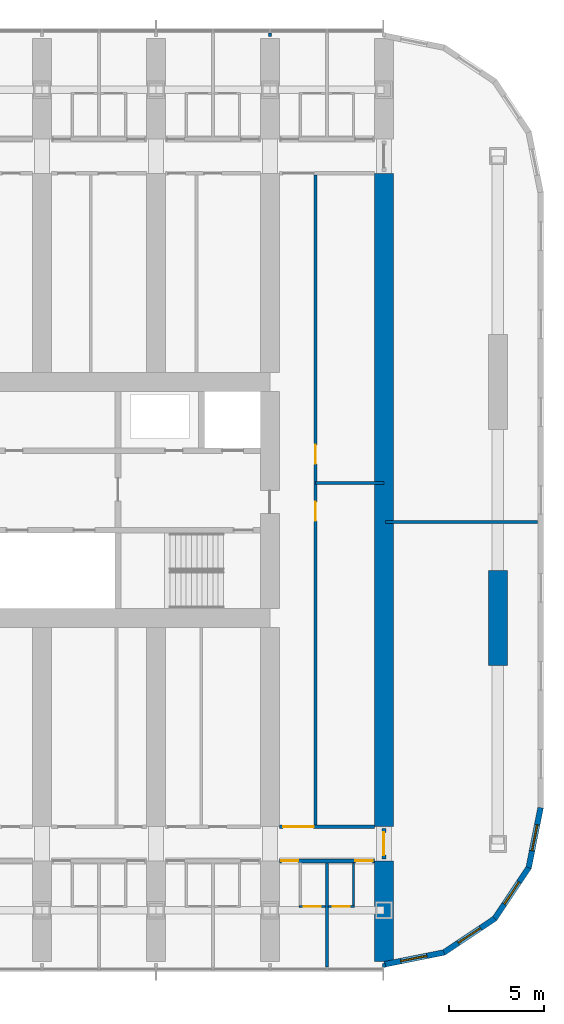
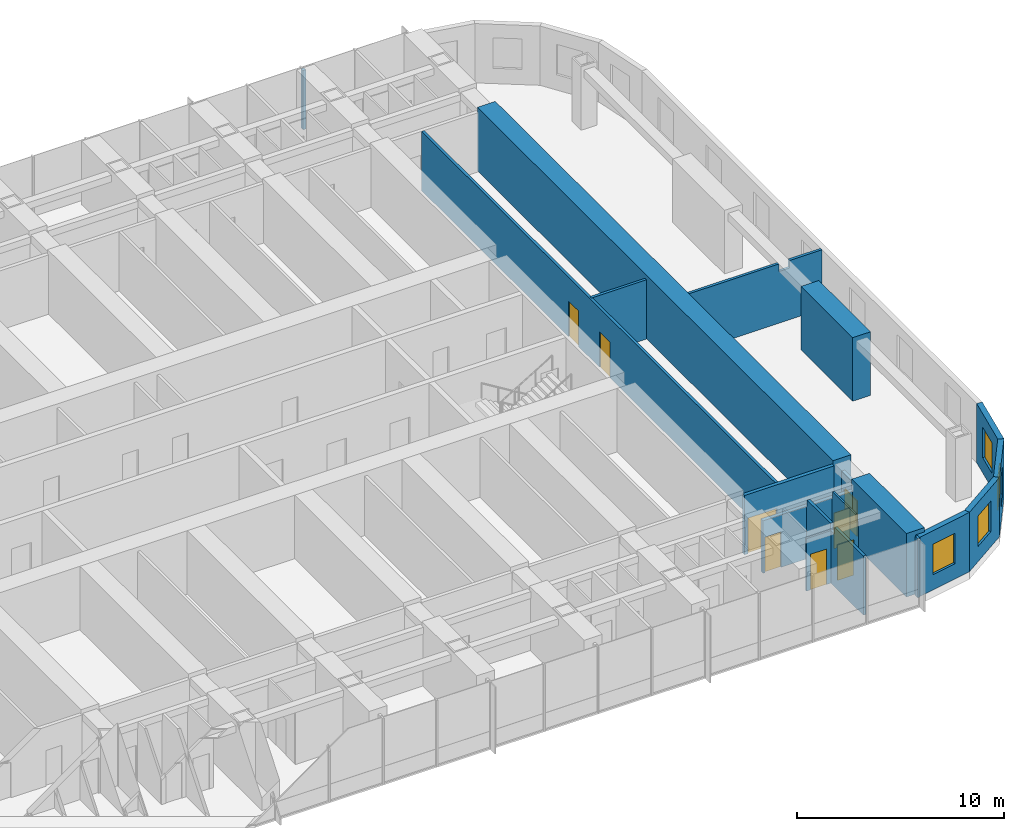
# One storey, part 20 of 28: 19 walls, 8 doors, 4 windows, 12 openings.
"""IFC4 building model written with IfcOpenShell, lengths in metres."""

from ifc_helpers import new_model, si_unit, direction, frame, frame_2d, origin, place, context, subcontext, project, spatial, polyline, rectangle, outline, extrude, material, layer, layer_set, type_object, element, fill, save


model = new_model("IFC4")

# Units and contexts
model_context = context("Model", 3, precision=1e-05, world=origin(), true_north=direction((0.0, 1.0)))
body_context = subcontext(model_context, "Body", "Model", "MODEL_VIEW")
ifc_project = project(units=[si_unit("LENGTHUNIT", "METRE"), si_unit("AREAUNIT", "SQUARE_METRE"), si_unit("VOLUMEUNIT", "CUBIC_METRE"), si_unit("PLANEANGLEUNIT", "RADIAN"), si_unit("MASSUNIT", "GRAM", prefix="KILO")], contexts=[model_context])

# Site, building, storey
site_placement = place(None, origin())
site = spatial("IfcSite", under=ifc_project, at=site_placement, CompositionType="ELEMENT")
building_placement = place(site_placement, origin())
building = spatial("IfcBuilding", under=site, at=building_placement, Name="Orbita Commons", CompositionType="ELEMENT")
storey_placement = place(building_placement, frame((0.0, 0.0, 38.949951171875)))
storey = spatial("IfcBuildingStorey", under=building, at=storey_placement, Name="L09", CompositionType="ELEMENT", Elevation=38.949951171875)

# Wall, openings, doors
ifc_material_1 = material(Name="Concrete blockwork", Category="masonry")
ifc_layer_1 = layer(ifc_material_1, 0.199951171875)
ifc_layer_set_1 = layer_set([ifc_layer_1], Name="Concrete blockwork")
wall_type_1 = type_object("IfcWallType", Name="Corridor wall 200 blockwork", PredefinedType="SOLIDWALL", material=ifc_layer_set_1)
wall_1_placement = place(storey_placement, frame((66.5, 13.0, 0.0), z_axis=(0.0, 0.0, 1.0), x_axis=(1.0, 0.0, 0.0)))
wall_1 = element("IfcWall", 1, at=wall_1_placement, inside=storey, type_object=wall_type_1, Name="Corridor wall 200 blockwork L09", PredefinedType="SOLIDWALL", context=body_context, shape_type="SweptSolid", body=[
    extrude(outline(polyline([(0.0, 0.0), (5.0, 0.0), (5.0, 3.10009765625), (0.0, 3.10009765625), (0.0, 0.0)])), frame((0.0, 0.10009765625, 0.0), z_axis=(0.0, -1.0, 0.0), x_axis=(1.0, 0.0, 0.0)), (0.0, 0.0, 1.0), 0.199951171875),
])
opening_1_placement = place(wall_1_placement, frame((0.10009765625, 0.0, 0.0)))
opening_1 = element("IfcOpeningElement", 2, at=opening_1_placement, cuts=wall_1, Name="Opening D11", PredefinedType="OPENING", context=body_context, shape_type="SweptSolid", body=[
    extrude(rectangle(XDim=0.89990234375, YDim=2.10009765625, at=frame_2d((0.449951171875, 1.050048828125))), frame((0.0, 0.10986328125, 0.0), z_axis=(0.0, -1.0, 0.0), x_axis=(1.0, 0.0, 0.0)), (0.0, 0.0, 1.0), 0.219970703125),
])
opening_2_placement = place(wall_1_placement, frame((4.0, 0.0, 0.0)))
opening_2 = element("IfcOpeningElement", 3, at=opening_2_placement, cuts=wall_1, Name="Opening D11", PredefinedType="OPENING", context=body_context, shape_type="SweptSolid", body=[
    extrude(rectangle(XDim=0.89990234375, YDim=2.10009765625, at=frame_2d((0.449951171875, 1.050048828125))), frame((0.0, 0.10986328125, 0.0), z_axis=(0.0, -1.0, 0.0), x_axis=(1.0, 0.0, 0.0)), (0.0, 0.0, 1.0), 0.219970703125),
])
ifc_material_2 = material(Name="Steel-faced fire door leaf", Category="steel")
door_type_1 = type_object("IfcDoorType", Name="Corridor door 20 min 900x2100", OperationType="SINGLE_SWING_LEFT", PredefinedType="DOOR", material=ifc_material_2)
door_1_placement = place(opening_1_placement, origin())
door_1 = element("IfcDoor", 4, at=door_1_placement, inside=storey, type_object=door_type_1, Name="House bedroom L09-S18 door", OperationType="SINGLE_SWING_LEFT", OverallHeight=2.10009765625, OverallWidth=0.89990234375, PredefinedType="DOOR", context=body_context, shape_type="SweptSolid", body=[
    extrude(rectangle(XDim=0.89990234375, YDim=2.10009765625, at=frame_2d((0.449951171875, 1.050048828125))), frame((0.0, 0.02490234375, 0.0), z_axis=(0.0, -1.0, 0.0), x_axis=(1.0, 0.0, 0.0)), (0.0, 0.0, 1.0), 0.050048828125),
])
fill(opening_1, door_1)
door_2_placement = place(opening_2_placement, origin())
door_2 = element("IfcDoor", 5, at=door_2_placement, inside=storey, type_object=door_type_1, Name="House bedroom L09-S19 door", OperationType="SINGLE_SWING_LEFT", OverallHeight=2.10009765625, OverallWidth=0.89990234375, PredefinedType="DOOR", context=body_context, shape_type="SweptSolid", body=[
    extrude(rectangle(XDim=0.89990234375, YDim=2.10009765625, at=frame_2d((0.449951171875, 1.050048828125))), frame((0.0, 0.02490234375, 0.0), z_axis=(0.0, -1.0, 0.0), x_axis=(1.0, 0.0, 0.0)), (0.0, 0.0, 1.0), 0.050048828125),
])
fill(opening_2, door_2)

# Wall, opening, door
wall_2_placement = place(storey_placement, frame((72.0, 13.10009765625, 0.0), z_axis=(0.0, 0.0, 1.0), x_axis=(0.0, 1.0, 0.0)))
wall_2 = element("IfcWall", 6, at=wall_2_placement, inside=storey, type_object=wall_type_1, Name="Corridor wall 200 blockwork L09", PredefinedType="SOLIDWALL", context=body_context, shape_type="SweptSolid", body=[
    extrude(outline(polyline([(0.0, 0.0), (1.599853515625, 0.0), (1.60009765625, 3.050048828125), (0.0, 3.050048828125), (0.0, 0.0)])), frame((0.0, 0.10009765625, 0.0), z_axis=(0.0, -1.0, 0.0), x_axis=(1.0, 0.0, 0.0)), (0.0, 0.0, 1.0), 0.199951171875),
])
opening_3_placement = place(wall_2_placement, frame((0.199951171875, 0.0, 0.0)))
opening_3 = element("IfcOpeningElement", 7, at=opening_3_placement, cuts=wall_2, Name="Opening D12", PredefinedType="OPENING", context=body_context, shape_type="SweptSolid", body=[
    extrude(rectangle(XDim=1.199951171875, YDim=2.10009765625, at=frame_2d((0.60009765625, 1.050048828125))), frame((0.0, 0.10986328125, 0.0), z_axis=(0.0, -1.0, 0.0), x_axis=(1.0, 0.0, 0.0)), (0.0, 0.0, 1.0), 0.219970703125),
])
ifc_material_3 = material(Name="Steel-faced fire door leaf", Category="steel")
door_type_2 = type_object("IfcDoorType", Name="Double corridor door 20 min 1200x2100", OperationType="DOUBLE_DOOR_SINGLE_SWING", PredefinedType="DOOR", material=ifc_material_3)
door_3_placement = place(opening_3_placement, origin())
door_3 = element("IfcDoor", 8, at=door_3_placement, inside=storey, type_object=door_type_2, Name="Lounge doors", OperationType="DOUBLE_DOOR_SINGLE_SWING", OverallHeight=2.10009765625, OverallWidth=1.199951171875, PredefinedType="DOOR", context=body_context, shape_type="SweptSolid", body=[
    extrude(rectangle(XDim=1.199951171875, YDim=2.10009765625, at=frame_2d((0.60009765625, 1.050048828125))), frame((0.0, 0.02490234375, 0.0), z_axis=(0.0, -1.0, 0.0), x_axis=(1.0, 0.0, 0.0)), (0.0, 0.0, 1.0), 0.050048828125),
])
fill(opening_3, door_3)

ifc_material_4 = material(Name="Hollow concrete block 200", Category="concrete")
ifc_layer_2 = layer(ifc_material_4, 0.199951171875)
ifc_layer_set_2 = layer_set([ifc_layer_2], Name="Hollow concrete block 200")
wall_type_2 = type_object("IfcWallType", Name="Corridor wall 200 hollow concrete block", PredefinedType="SOLIDWALL", material=ifc_layer_set_2)
wall_3_placement = place(storey_placement, frame((66.5, 14.800048828125, 0.0), z_axis=(0.0, 0.0, 1.0), x_axis=(1.0, 0.0, 0.0)))
wall_3 = element("IfcWall", 9, at=wall_3_placement, inside=storey, type_object=wall_type_2, Name="Corridor wall 200 hollow concrete block L09", PredefinedType="SOLIDWALL", context=body_context, shape_type="SweptSolid", body=[
    extrude(rectangle(XDim=5.0, YDim=0.199951171875, at=frame_2d((2.5, 0.0))), origin(), (0.0, 0.0, 1.0), 3.5),
])
opening_4_placement = place(wall_3_placement, frame((0.199951171875, 0.0, 0.0)))
opening_4 = element("IfcOpeningElement", 10, at=opening_4_placement, cuts=wall_3, Name="Opening D10", PredefinedType="OPENING", context=body_context, shape_type="SweptSolid", body=[
    extrude(rectangle(XDim=1.60009765625, YDim=2.10009765625, at=frame_2d((0.800048828125, 1.050048828125))), frame((0.0, 0.10986328125, 0.0), z_axis=(0.0, -1.0, 0.0), x_axis=(1.0, 0.0, 0.0)), (0.0, 0.0, 1.0), 0.219970703125),
])
ifc_material_5 = material(Name="Steel-faced fire door leaf", Category="steel")
door_type_3 = type_object("IfcDoorType", Name="Double corridor door 20 min 1600x2100", OperationType="DOUBLE_DOOR_SINGLE_SWING", PredefinedType="DOOR", material=ifc_material_5)
door_4_placement = place(opening_4_placement, origin())
door_4 = element("IfcDoor", 11, at=door_4_placement, inside=storey, type_object=door_type_3, Name="Cross corridor doors", OperationType="DOUBLE_DOOR_SINGLE_SWING", OverallHeight=2.10009765625, OverallWidth=1.60009765625, PredefinedType="DOOR", context=body_context, shape_type="SweptSolid", body=[
    extrude(rectangle(XDim=1.60009765625, YDim=2.10009765625, at=frame_2d((0.800048828125, 1.050048828125))), frame((0.0, 0.02490234375, 0.0), z_axis=(0.0, -1.0, 0.0), x_axis=(1.0, 0.0, 0.0)), (0.0, 0.0, 1.0), 0.050048828125),
])
fill(opening_4, door_4)

# Walls
ifc_material_6 = material(Name="Concrete C50/60", Category="concrete")
ifc_layer_3 = layer(ifc_material_6, 1.0)
ifc_layer_set_3 = layer_set([ifc_layer_3], Name="Concrete C50/60")
wall_type_3 = type_object("IfcWallType", Name="Cross wall 1000 C50/60", PredefinedType="SHEAR", material=ifc_layer_set_3)
wall_4_placement = place(storey_placement, frame((72.0, 7.699951171875, 0.0), z_axis=(0.0, 0.0, 1.0), x_axis=(0.0, 1.0, 0.0)))
element("IfcWall", 12, at=wall_4_placement, inside=storey, type_object=wall_type_3, Name="Cross wall 13 south outer L09", PredefinedType="SHEAR", context=body_context, shape_type="SweptSolid", body=[
    extrude(rectangle(XDim=5.300048828125, YDim=1.0, at=frame_2d((2.64990234375, 0.0))), origin(), (0.0, 0.0, 1.0), 3.75),
])
wall_5_placement = place(storey_placement, frame((72.0, 14.800048828125, 0.0), z_axis=(0.0, 0.0, 1.0), x_axis=(0.0, 1.0, 0.0)))
element("IfcWall", 13, at=wall_5_placement, inside=storey, type_object=wall_type_3, Name="Cross wall 13 inner L09", PredefinedType="SHEAR", context=body_context, shape_type="SweptSolid", body=[
    extrude(rectangle(XDim=34.39990234375, YDim=1.0, at=frame_2d((17.199951171875, 0.0))), origin(), (0.0, 0.0, 1.0), 3.75),
])

# Wall, opening, door
ifc_material_7 = material(Name="Moisture-resistant plasterboard on steel studs", Category="steel")
ifc_layer_4 = layer(ifc_material_7, 0.10009765625)
ifc_layer_set_4 = layer_set([ifc_layer_4], Name="Moisture-resistant plasterboard on steel studs")
wall_type_4 = type_object("IfcWallType", Name="En-suite partition 100", PredefinedType="PARTITIONING", material=ifc_layer_set_4)
wall_6_placement = place(storey_placement, frame((68.925048828125, 10.59814453125, 0.0), z_axis=(0.0, 0.0, 1.0), x_axis=(-1.0, 0.0, 0.0)))
wall_6 = element("IfcWall", 14, at=wall_6_placement, inside=storey, type_object=wall_type_4, Name="En-suite partition 100 L09", PredefinedType="PARTITIONING", context=body_context, shape_type="SweptSolid", body=[
    extrude(outline(polyline([(0.0, 0.0), (1.375, 0.0), (1.375, 3.10009765625), (0.0, 3.10009765625), (0.0, 0.0)])), frame((0.0, 0.050048828125, 0.0), z_axis=(0.0, -1.0, 0.0), x_axis=(1.0, 0.0, 0.0)), (0.0, 0.0, 1.0), 0.10009765625),
])
opening_5_placement = place(wall_6_placement, frame((0.237548828125, 0.0, 0.0)))
opening_5 = element("IfcOpeningElement", 15, at=opening_5_placement, cuts=wall_6, Name="Opening D09", PredefinedType="OPENING", context=body_context, shape_type="SweptSolid", body=[
    extrude(rectangle(XDim=0.89990234375, YDim=2.10009765625, at=frame_2d((0.449951171875, 1.050048828125))), frame((0.0, 0.06005859375, 0.0), z_axis=(0.0, -1.0, 0.0), x_axis=(1.0, 0.0, 0.0)), (0.0, 0.0, 1.0), 0.1201171875),
])
ifc_material_8 = material(Name="Laminated timber door leaf", Category="wood")
door_type_4 = type_object("IfcDoorType", Name="En-suite door 900x2100", OperationType="SINGLE_SWING_RIGHT", PredefinedType="DOOR", material=ifc_material_8)
door_5_placement = place(opening_5_placement, origin())
door_5 = element("IfcDoor", 16, at=door_5_placement, inside=storey, type_object=door_type_4, Name="En-suite L09-S18 door", OperationType="SINGLE_SWING_RIGHT", OverallHeight=2.10009765625, OverallWidth=0.89990234375, PredefinedType="DOOR", context=body_context, shape_type="SweptSolid", body=[
    extrude(rectangle(XDim=0.89990234375, YDim=2.10009765625, at=frame_2d((0.449951171875, 1.050048828125))), frame((0.0, 0.02490234375, 0.0), z_axis=(0.0, -1.0, 0.0), x_axis=(1.0, 0.0, 0.0)), (0.0, 0.0, 1.0), 0.050048828125),
])
fill(opening_5, door_5)

wall_7_placement = place(storey_placement, frame((70.449951171875, 10.59814453125, 0.0), z_axis=(0.0, 0.0, 1.0), x_axis=(-1.0, 0.0, 0.0)))
wall_7 = element("IfcWall", 17, at=wall_7_placement, inside=storey, type_object=wall_type_4, Name="En-suite partition 100 L09", PredefinedType="PARTITIONING", context=body_context, shape_type="SweptSolid", body=[
    extrude(outline(polyline([(0.0, 0.0), (1.375, 0.0), (1.375, 3.10009765625), (0.0, 3.10009765625), (0.0, 0.0)])), frame((0.0, 0.050048828125, 0.0), z_axis=(0.0, -1.0, 0.0), x_axis=(1.0, 0.0, 0.0)), (0.0, 0.0, 1.0), 0.10009765625),
])
opening_6_placement = place(wall_7_placement, frame((0.237548828125, 0.0, 0.0)))
opening_6 = element("IfcOpeningElement", 18, at=opening_6_placement, cuts=wall_7, Name="Opening D09", PredefinedType="OPENING", context=body_context, shape_type="SweptSolid", body=[
    extrude(rectangle(XDim=0.89990234375, YDim=2.10009765625, at=frame_2d((0.449951171875, 1.050048828125))), frame((0.0, 0.06005859375, 0.0), z_axis=(0.0, -1.0, 0.0), x_axis=(1.0, 0.0, 0.0)), (0.0, 0.0, 1.0), 0.1201171875),
])
door_6_placement = place(opening_6_placement, origin())
door_6 = element("IfcDoor", 19, at=door_6_placement, inside=storey, type_object=door_type_4, Name="En-suite L09-S19 door", OperationType="SINGLE_SWING_RIGHT", OverallHeight=2.10009765625, OverallWidth=0.89990234375, PredefinedType="DOOR", context=body_context, shape_type="SweptSolid", body=[
    extrude(rectangle(XDim=0.89990234375, YDim=2.10009765625, at=frame_2d((0.449951171875, 1.050048828125))), frame((0.0, 0.02490234375, 0.0), z_axis=(0.0, -1.0, 0.0), x_axis=(1.0, 0.0, 0.0)), (0.0, 0.0, 1.0), 0.050048828125),
])
fill(opening_6, door_6)

# Walls
wall_8_placement = place(storey_placement, frame((70.39990234375, 10.648193359375, 0.0), z_axis=(0.0, 0.0, 1.0), x_axis=(0.0, 1.0, 0.0)))
element("IfcWall", 20, at=wall_8_placement, inside=storey, type_object=wall_type_4, Name="En-suite partition 100 L09", PredefinedType="PARTITIONING", context=body_context, shape_type="SweptSolid", body=[
    extrude(outline(polyline([(0.0, 0.0), (2.251708984375, 0.0), (2.251953125, 3.10009765625), (2.203857421875, 3.10009765625), (2.201904296875, 3.5), (0.0, 3.5), (0.0, 0.0)])), frame((0.0, 0.050048828125, 0.0), z_axis=(0.0, -1.0, 0.0), x_axis=(1.0, 0.0, 0.0)), (0.0, 0.0, 1.0), 0.10009765625),
])
ifc_material_9 = material(Name="Concrete C50/60", Category="concrete")
ifc_layer_5 = layer(ifc_material_9, 1.0)
ifc_layer_set_5 = layer_set([ifc_layer_5], Name="Concrete C50/60")
wall_type_5 = type_object("IfcWallType", Name="End pier 1000x5000 C50/60", PredefinedType="SHEAR", material=ifc_layer_set_5)
wall_9_placement = place(storey_placement, frame((78.0, 23.300048828125, 0.0), z_axis=(0.0, 0.0, 1.0), x_axis=(0.0, 1.0, 0.0)))
element("IfcWall", 21, at=wall_9_placement, inside=storey, type_object=wall_type_5, Name="End pier 14/C L09", PredefinedType="SHEAR", context=body_context, shape_type="SweptSolid", body=[
    extrude(rectangle(XDim=5.0, YDim=1.0, at=frame_2d((2.5, 0.0))), origin(), (0.0, 0.0, 1.0), 3.75),
])

# Wall, openings, doors
ifc_material_10 = material(Name="Gypsum plasterboard on steel studs", Category="steel")
ifc_layer_6 = layer(ifc_material_10, 0.14990234375)
ifc_layer_set_6 = layer_set([ifc_layer_6], Name="Gypsum plasterboard on steel studs")
wall_type_6 = type_object("IfcWallType", Name="Partition 150 plasterboard", PredefinedType="PARTITIONING", material=ifc_layer_set_6)
wall_10_placement = place(storey_placement, frame((68.39990234375, 14.89990234375, 0.0), z_axis=(0.0, 0.0, 1.0), x_axis=(0.0, 1.0, 0.0)))
wall_10 = element("IfcWall", 22, at=wall_10_placement, inside=storey, type_object=wall_type_6, Name="Partition 150 plasterboard L09", PredefinedType="PARTITIONING", context=body_context, shape_type="SweptSolid", body=[
    extrude(rectangle(XDim=34.2001953125, YDim=0.14990234375, at=frame_2d((17.10009765625, 0.0))), origin(), (0.0, 0.0, 1.0), 3.5),
])
opening_7_placement = place(wall_10_placement, frame((16.0, 0.0, 0.0)))
opening_7 = element("IfcOpeningElement", 23, at=opening_7_placement, cuts=wall_10, Name="Opening D06", PredefinedType="OPENING", context=body_context, shape_type="SweptSolid", body=[
    extrude(rectangle(XDim=1.0, YDim=2.10009765625, at=frame_2d((0.5, 1.050048828125))), frame((0.0, 0.0849609375, 0.0), z_axis=(0.0, -1.0, 0.0), x_axis=(1.0, 0.0, 0.0)), (0.0, 0.0, 1.0), 0.169921875),
])
opening_8_placement = place(wall_10_placement, frame((19.0, 0.0, 0.0)))
opening_8 = element("IfcOpeningElement", 24, at=opening_8_placement, cuts=wall_10, Name="Opening D06", PredefinedType="OPENING", context=body_context, shape_type="SweptSolid", body=[
    extrude(rectangle(XDim=1.0, YDim=2.10009765625, at=frame_2d((0.5, 1.050048828125))), frame((0.0, 0.0849609375, 0.0), z_axis=(0.0, -1.0, 0.0), x_axis=(1.0, 0.0, 0.0)), (0.0, 0.0, 1.0), 0.169921875),
])
ifc_material_11 = material(Name="Steel-faced fire door leaf", Category="steel")
door_type_5 = type_object("IfcDoorType", Name="Corridor door 20 min 1000x2100", OperationType="SINGLE_SWING_LEFT", PredefinedType="DOOR", material=ifc_material_11)
door_7_placement = place(opening_7_placement, origin())
door_7 = element("IfcDoor", 25, at=door_7_placement, inside=storey, type_object=door_type_5, Name="Interview room door", OperationType="SINGLE_SWING_LEFT", OverallHeight=2.10009765625, OverallWidth=1.0, PredefinedType="DOOR", context=body_context, shape_type="SweptSolid", body=[
    extrude(rectangle(XDim=1.0, YDim=2.10009765625, at=frame_2d((0.5, 1.050048828125))), frame((0.0, 0.02490234375, 0.0), z_axis=(0.0, -1.0, 0.0), x_axis=(1.0, 0.0, 0.0)), (0.0, 0.0, 1.0), 0.050048828125),
])
fill(opening_7, door_7)
door_8_placement = place(opening_8_placement, origin())
door_8 = element("IfcDoor", 26, at=door_8_placement, inside=storey, type_object=door_type_5, Name="Meeting room door", OperationType="SINGLE_SWING_LEFT", OverallHeight=2.10009765625, OverallWidth=1.0, PredefinedType="DOOR", context=body_context, shape_type="SweptSolid", body=[
    extrude(rectangle(XDim=1.0, YDim=2.10009765625, at=frame_2d((0.5, 1.050048828125))), frame((0.0, 0.02490234375, 0.0), z_axis=(0.0, -1.0, 0.0), x_axis=(1.0, 0.0, 0.0)), (0.0, 0.0, 1.0), 0.050048828125),
])
fill(opening_8, door_8)

# Walls
wall_11_placement = place(storey_placement, frame((68.39990234375, 32.89990234375, 0.0), z_axis=(0.0, 0.0, 1.0), x_axis=(1.0, 0.0, 0.0)))
element("IfcWall", 27, at=wall_11_placement, inside=storey, type_object=wall_type_6, Name="Partition 150 plasterboard L09", PredefinedType="PARTITIONING", context=body_context, shape_type="SweptSolid", body=[
    extrude(rectangle(XDim=3.60009765625, YDim=0.14990234375, at=frame_2d((1.800048828125, 0.0))), origin(), (0.0, 0.0, 1.0), 3.5),
])
wall_12_placement = place(storey_placement, frame((72.074951171875, 30.85009765625, 0.0), z_axis=(0.0, 0.0, 1.0), x_axis=(1.0, 0.0, 0.0)))
element("IfcWall", 28, at=wall_12_placement, inside=storey, type_object=wall_type_6, Name="Partition 150 plasterboard L09", PredefinedType="PARTITIONING", context=body_context, shape_type="SweptSolid", body=[
    extrude(outline(polyline([(0.0, 0.0), (8.02001953125, 0.0), (8.02001953125, 3.5), (6.22705078125, 3.5), (6.22509765625, 3.050048828125), (5.626953125, 3.050048828125), (5.625, 3.5), (0.0, 3.5), (0.0, 0.0)])), frame((0.0, 0.074951171875, 0.0), z_axis=(0.0, -1.0, 0.0), x_axis=(1.0, 0.0, 0.0)), (0.0, 0.0, 1.0), 0.14990234375),
])
wall_13_placement = place(storey_placement, frame((66.0, 56.39990234375, 0.0), z_axis=(0.0, 0.0, 1.0), x_axis=(0.0, 1.0, 0.0)))
element("IfcWall", 29, at=wall_13_placement, inside=storey, type_object=wall_type_6, Name="Partition 150 plasterboard L09", PredefinedType="PARTITIONING", context=body_context, shape_type="SweptSolid", body=[
    extrude(rectangle(XDim=0.190185546875, YDim=0.14990234375, at=frame_2d((0.09521484375, 0.0))), origin(), (0.0, 0.0, 1.0), 3.5),
])
wall_14_placement = place(storey_placement, frame((72.0, 7.60009765625, 0.0), z_axis=(0.0, 0.0, 1.0), x_axis=(0.0, -1.0, 0.0)))
element("IfcWall", 30, at=wall_14_placement, inside=storey, type_object=wall_type_6, Name="Partition 150 plasterboard L09", PredefinedType="PARTITIONING", context=body_context, shape_type="SweptSolid", body=[
    extrude(rectangle(XDim=0.22021484375, YDim=0.14990234375, at=frame_2d((0.110107421875, 0.0))), origin(), (0.0, 0.0, 1.0), 3.5),
])
ifc_material_12 = material(Name="Gypsum plasterboard on steel studs", Category="steel")
ifc_layer_7 = layer(ifc_material_12, 0.14990234375)
ifc_layer_set_7 = layer_set([ifc_layer_7], Name="Gypsum plasterboard on steel studs")
wall_type_7 = type_object("IfcWallType", Name="Party wall 150 plasterboard", PredefinedType="PARTITIONING", material=ifc_layer_set_7)
wall_15_placement = place(storey_placement, frame((69.0, 7.409912109375, 0.0), z_axis=(0.0, 0.0, 1.0), x_axis=(0.0, 1.0, 0.0)))
element("IfcWall", 31, at=wall_15_placement, inside=storey, type_object=wall_type_7, Name="Party wall 150 plasterboard L09", PredefinedType="PARTITIONING", context=body_context, shape_type="SweptSolid", body=[
    extrude(outline(polyline([(0.0, 0.0), (5.489990234375, 0.0), (5.489990234375, 3.10009765625), (5.44189453125, 3.10009765625), (5.43994140625, 3.5), (3.19189453125, 3.5), (3.18994140625, 3.10009765625), (2.7919921875, 3.10009765625), (2.7900390625, 3.5), (0.0, 3.5), (0.0, 0.0)])), frame((0.0, 0.074951171875, 0.0), z_axis=(0.0, -1.0, 0.0), x_axis=(1.0, 0.0, 0.0)), (0.0, 0.0, 1.0), 0.14990234375),
])

# Wall, opening, window
ifc_material_13 = material(Name="Precast concrete C40/50, white board-marked finish", Category="concrete")
ifc_layer_8 = layer(ifc_material_13, 0.300048828125)
ifc_layer_set_8 = layer_set([ifc_layer_8], Name="Precast concrete C40/50, white board-marked finish")
wall_type_8 = type_object("IfcWallType", Name="Precast concrete end shield 300", PredefinedType="SOLIDWALL", material=ifc_layer_set_8)
wall_16_placement = place(storey_placement, frame((72.0, 7.550048828125, 0.0), z_axis=(0.0, 0.0, 1.0), x_axis=(0.980787251524, 0.195080412259, 0.0)))
wall_16 = element("IfcWall", 32, at=wall_16_placement, inside=storey, type_object=wall_type_8, Name="End shield SE chord 1 L09", PredefinedType="SOLIDWALL", context=body_context, shape_type="SweptSolid", body=[
    extrude(outline(polyline([(-0.02978515625, -0.14990234375), (3.24853515625, -0.14990234375), (3.18896484375, 0.14990234375), (0.02978515625, 0.14990234375), (-0.02978515625, -0.14990234375)])), origin(), (0.0, 0.0, 1.0), 3.5),
])
opening_9_placement = place(wall_16_placement, frame((0.909423828125, 0.0, 0.89990234375)))
opening_9 = element("IfcOpeningElement", 33, at=opening_9_placement, cuts=wall_16, Name="Opening W02", PredefinedType="OPENING", context=body_context, shape_type="SweptSolid", body=[
    extrude(rectangle(XDim=1.39990234375, YDim=1.800048828125, at=frame_2d((0.699951171875, 0.89990234375))), frame((0.0, 0.159912109375, 0.0), z_axis=(0.0, -1.0, 0.0), x_axis=(1.0, 0.0, 0.0)), (0.0, 0.0, 1.0), 0.320068359375),
])
ifc_material_14 = material(Name="Aluminium frame, clear double glazing", Category="aluminium")
window_type = type_object("IfcWindowType", Name="Deep-set window 1400x1800", PartitioningType="SINGLE_PANEL", PredefinedType="WINDOW", material=ifc_material_14)
window_1_placement = place(opening_9_placement, origin())
window_1 = element("IfcWindow", 34, at=window_1_placement, inside=storey, type_object=window_type, Name="Window L09-SE0", OverallHeight=1.800048828125, OverallWidth=1.39990234375, PartitioningType="SINGLE_PANEL", PredefinedType="WINDOW", context=body_context, shape_type="SweptSolid", body=[
    extrude(rectangle(XDim=1.39990234375, YDim=1.800048828125, at=frame_2d((0.699951171875, 0.89990234375))), frame((0.0, 0.030029296875, 0.0), z_axis=(0.0, -1.0, 0.0), x_axis=(1.0, 0.0, 0.0)), (0.0, 0.0, 1.0), 0.06005859375),
])
fill(opening_9, window_1)

wall_17_placement = place(storey_placement, frame((75.156982421875, 8.177978515625, 0.0), z_axis=(0.0, 0.0, 1.0), x_axis=(0.831478105043, 0.555557522525, 0.0)))
wall_17 = element("IfcWall", 35, at=wall_17_placement, inside=storey, type_object=wall_type_8, Name="End shield SE chord 2 L09", PredefinedType="SOLIDWALL", context=body_context, shape_type="SweptSolid", body=[
    extrude(outline(polyline([(-0.02978515625, -0.14990234375), (3.248779296875, -0.14990234375), (3.189208984375, 0.14990234375), (0.02978515625, 0.14990234375), (-0.02978515625, -0.14990234375)])), origin(), (0.0, 0.0, 1.0), 3.5),
])
opening_10_placement = place(wall_17_placement, frame((0.909423828125, 0.0, 0.89990234375)))
opening_10 = element("IfcOpeningElement", 36, at=opening_10_placement, cuts=wall_17, Name="Opening W02", PredefinedType="OPENING", context=body_context, shape_type="SweptSolid", body=[
    extrude(rectangle(XDim=1.39990234375, YDim=1.800048828125, at=frame_2d((0.699951171875, 0.89990234375))), frame((0.0, 0.159912109375, 0.0), z_axis=(0.0, -1.0, 0.0), x_axis=(1.0, 0.0, 0.0)), (0.0, 0.0, 1.0), 0.320068359375),
])
window_2_placement = place(opening_10_placement, origin())
window_2 = element("IfcWindow", 37, at=window_2_placement, inside=storey, type_object=window_type, Name="Window L09-SE1", OverallHeight=1.800048828125, OverallWidth=1.39990234375, PartitioningType="SINGLE_PANEL", PredefinedType="WINDOW", context=body_context, shape_type="SweptSolid", body=[
    extrude(rectangle(XDim=1.39990234375, YDim=1.800048828125, at=frame_2d((0.699951171875, 0.89990234375))), frame((0.0, 0.030029296875, 0.0), z_axis=(0.0, -1.0, 0.0), x_axis=(1.0, 0.0, 0.0)), (0.0, 0.0, 1.0), 0.06005859375),
])
fill(opening_10, window_2)

wall_18_placement = place(storey_placement, frame((77.83349609375, 9.96630859375, 0.0), z_axis=(0.0, 0.0, 1.0), x_axis=(0.555609954424, 0.831443069936, 0.0)))
wall_18 = element("IfcWall", 38, at=wall_18_placement, inside=storey, type_object=wall_type_8, Name="End shield SE chord 3 L09", PredefinedType="SOLIDWALL", context=body_context, shape_type="SweptSolid", body=[
    extrude(outline(polyline([(-0.02978515625, -0.14990234375), (3.2490234375, -0.14990234375), (3.189453125, 0.14990234375), (0.02978515625, 0.14990234375), (-0.02978515625, -0.14990234375)])), origin(), (0.0, 0.0, 1.0), 3.5),
])
opening_11_placement = place(wall_18_placement, frame((0.909423828125, 0.0, 0.89990234375)))
opening_11 = element("IfcOpeningElement", 39, at=opening_11_placement, cuts=wall_18, Name="Opening W02", PredefinedType="OPENING", context=body_context, shape_type="SweptSolid", body=[
    extrude(rectangle(XDim=1.39990234375, YDim=1.800048828125, at=frame_2d((0.699951171875, 0.89990234375))), frame((0.0, 0.159912109375, 0.0), z_axis=(0.0, -1.0, 0.0), x_axis=(1.0, 0.0, 0.0)), (0.0, 0.0, 1.0), 0.320068359375),
])
window_3_placement = place(opening_11_placement, origin())
window_3 = element("IfcWindow", 40, at=window_3_placement, inside=storey, type_object=window_type, Name="Window L09-SE2", OverallHeight=1.800048828125, OverallWidth=1.39990234375, PartitioningType="SINGLE_PANEL", PredefinedType="WINDOW", context=body_context, shape_type="SweptSolid", body=[
    extrude(rectangle(XDim=1.39990234375, YDim=1.800048828125, at=frame_2d((0.699951171875, 0.89990234375))), frame((0.0, 0.030029296875, 0.0), z_axis=(0.0, -1.0, 0.0), x_axis=(1.0, 0.0, 0.0)), (0.0, 0.0, 1.0), 0.06005859375),
])
fill(opening_11, window_3)

wall_19_placement = place(storey_placement, frame((79.6220703125, 12.642822265625, 0.0), z_axis=(0.0, 0.0, 1.0), x_axis=(0.195065901187, 0.980790137692, 0.0)))
wall_19 = element("IfcWall", 41, at=wall_19_placement, inside=storey, type_object=wall_type_8, Name="End shield SE chord 4 L09", PredefinedType="SOLIDWALL", context=body_context, shape_type="SweptSolid", body=[
    extrude(outline(polyline([(-0.02978515625, -0.14990234375), (3.23388671875, -0.14990234375), (3.2041015625, 0.14990234375), (0.02978515625, 0.14990234375), (-0.02978515625, -0.14990234375)])), origin(), (0.0, 0.0, 1.0), 3.5),
])
opening_12_placement = place(wall_19_placement, frame((0.909423828125, 0.0, 0.89990234375)))
opening_12 = element("IfcOpeningElement", 42, at=opening_12_placement, cuts=wall_19, Name="Opening W02", PredefinedType="OPENING", context=body_context, shape_type="SweptSolid", body=[
    extrude(rectangle(XDim=1.39990234375, YDim=1.800048828125, at=frame_2d((0.699951171875, 0.89990234375))), frame((0.0, 0.159912109375, 0.0), z_axis=(0.0, -1.0, 0.0), x_axis=(1.0, 0.0, 0.0)), (0.0, 0.0, 1.0), 0.320068359375),
])
window_4_placement = place(opening_12_placement, origin())
window_4 = element("IfcWindow", 43, at=window_4_placement, inside=storey, type_object=window_type, Name="Window L09-SE3", OverallHeight=1.800048828125, OverallWidth=1.39990234375, PartitioningType="SINGLE_PANEL", PredefinedType="WINDOW", context=body_context, shape_type="SweptSolid", body=[
    extrude(rectangle(XDim=1.39990234375, YDim=1.800048828125, at=frame_2d((0.699951171875, 0.89990234375))), frame((0.0, 0.030029296875, 0.0), z_axis=(0.0, -1.0, 0.0), x_axis=(1.0, 0.0, 0.0)), (0.0, 0.0, 1.0), 0.06005859375),
])
fill(opening_12, window_4)

save(model, "model.ifc")
